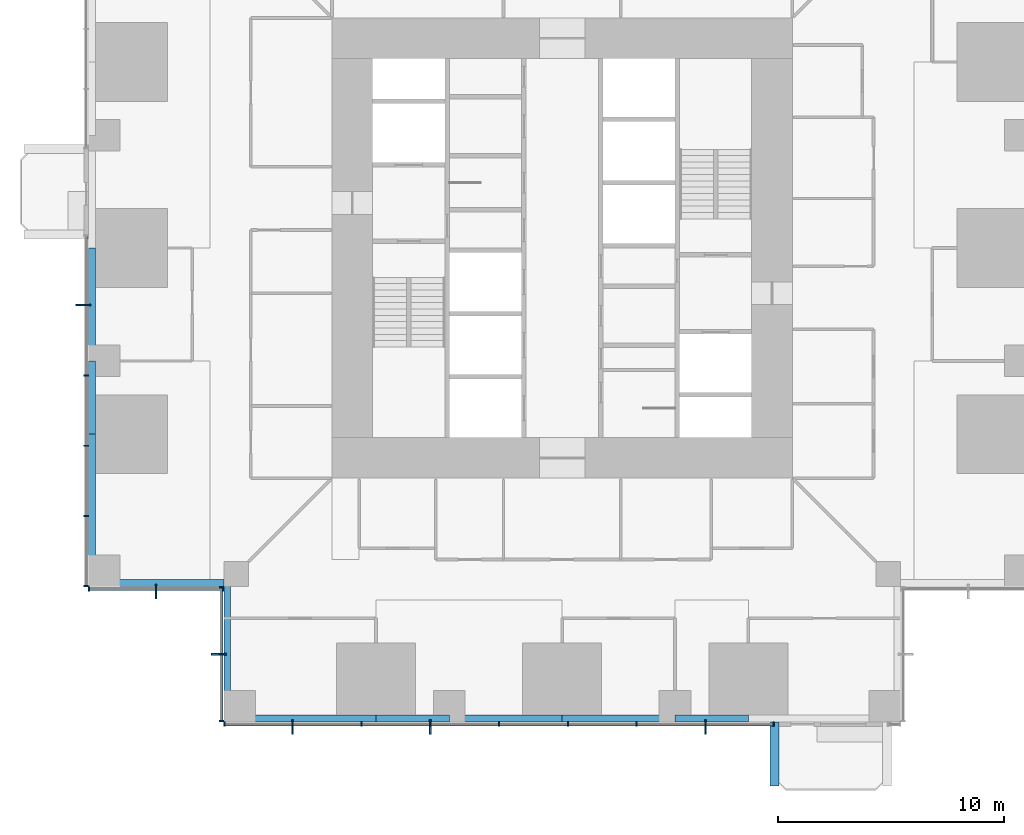
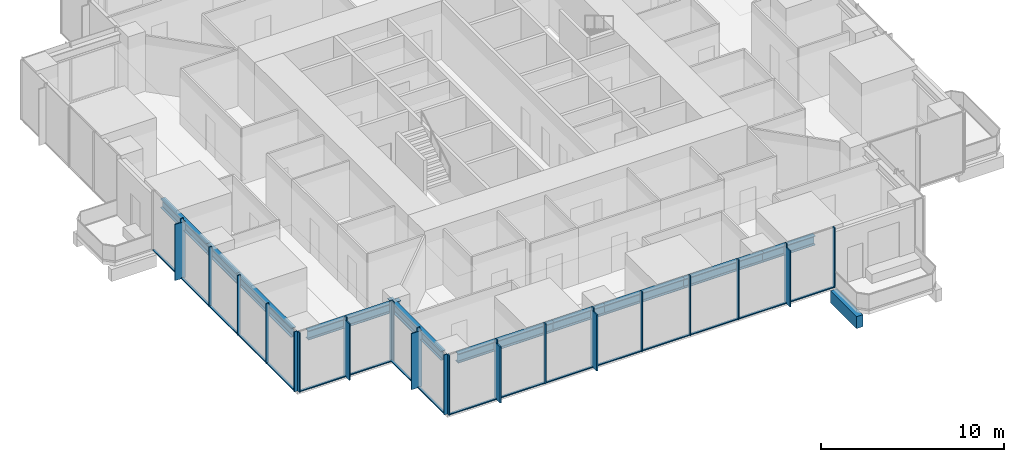
# One storey, part 2 of 16: 43 members, 11 beams, 4 elements without a shape of their own.
"""IFC4 building model written with IfcOpenShell, lengths in metres."""

from ifc_helpers import new_model, si_unit, direction, frame, origin, origin_2d, place, context, subcontext, project, spatial, rectangle, i_section, extrude, material, material_profile, profile_set, type_object, element, aggregate, save


model = new_model("IFC4")

# Units and contexts
model_context = context("Model", 3, precision=1e-05, world=origin(), true_north=direction((0.0, 1.0)))
body_context = subcontext(model_context, "Body", "Model", "MODEL_VIEW")
ifc_project = project(units=[si_unit("LENGTHUNIT", "METRE"), si_unit("AREAUNIT", "SQUARE_METRE"), si_unit("VOLUMEUNIT", "CUBIC_METRE"), si_unit("PLANEANGLEUNIT", "RADIAN"), si_unit("MASSUNIT", "GRAM", prefix="KILO")], contexts=[model_context])

# Site, building, storey
site_placement = place(None, origin())
site = spatial("IfcSite", under=ifc_project, at=site_placement, CompositionType="ELEMENT")
building_placement = place(site_placement, origin())
building = spatial("IfcBuilding", under=site, at=building_placement, Name="Svetlomir Tower", CompositionType="ELEMENT")
storey_placement = place(building_placement, frame((0.0, 0.0, 58.5)))
storey = spatial("IfcBuildingStorey", under=building, at=storey_placement, Name="L13", CompositionType="ELEMENT", Elevation=58.5)

# Beam
ifc_material_1 = material(Name="Concrete C60/75", Category="concrete")
ifc_material_profile_1 = material_profile(ifc_material_1, rectangle(XDim=0.39990234375, YDim=0.800048828125, at=origin_2d()), Name="RC 400x800")
ifc_profile_set_1 = profile_set([ifc_material_profile_1], Name="Concrete C60/75")
beam_type_1 = type_object("IfcBeamType", Name="BALCONY RIB RC 400x800", PredefinedType="BEAM", material=ifc_profile_set_1)
beam_1_placement = place(storey_placement, frame((30.39990234375, 0.0, -0.64990234375), z_axis=(0.0, -1.0, 0.0), x_axis=(1.0, 0.0, 0.0)))
element("IfcBeam", 1, at=beam_1_placement, inside=storey, type_object=beam_type_1, Name="Balcony rib S 1 L13", PredefinedType="BEAM", context=body_context, shape_type="SweptSolid", body=[
    extrude(rectangle(XDim=0.39990234375, YDim=0.800048828125, at=origin_2d()), origin(), (0.0, 0.0, 1.0), 2.85009765625),
])

# Curtain wall, members
ifc_material_2 = material(Name="Bronze anodised aluminium curtain wall", Category="aluminium")
curtain_wall_type = type_object("IfcCurtainWallType", Name="CURTAIN WALL CW1 TOWER OFFICE", PredefinedType="NOTDEFINED", material=ifc_material_2)
curtain_wall_1_placement = place(storey_placement, origin())
curtain_wall_1 = element("IfcCurtainWall", 2, at=curtain_wall_1_placement, inside=storey, type_object=curtain_wall_type, Name="Curtain wall CW1 L13", PredefinedType="NOTDEFINED")
ifc_material_3 = material(Name="Bronze anodised aluminium", Category="aluminium")
ifc_material_profile_2 = material_profile(ifc_material_3, rectangle(XDim=0.080078125, YDim=0.64990234375, at=origin_2d()), Name="FIN 80x650")
ifc_profile_set_2 = profile_set([ifc_material_profile_2], Name="Bronze anodised aluminium 6063-T6")
member_type_1 = type_object("IfcMemberType", Name="BRONZE FIN 80x650", PredefinedType="USERDEFINED", material=ifc_profile_set_2)
member_1_placement = place(storey_placement, frame((9.050048828125, -0.22509765625, 0.0), z_axis=(0.0, 0.0, 1.0), x_axis=(1.0, 0.0, 0.0)))
member_1 = element("IfcMember", 3, at=member_1_placement, type_object=member_type_1, Name="Bronze fin L13", ObjectType="FIN", PredefinedType="USERDEFINED", context=body_context, shape_type="SweptSolid", body=[
    extrude(rectangle(XDim=0.080078125, YDim=0.64990234375, at=origin_2d()), origin(), (0.0, 0.0, 1.0), 3.75),
])
member_2_placement = place(storey_placement, frame((15.14990234375, -0.22509765625, 0.0), z_axis=(0.0, 0.0, 1.0), x_axis=(1.0, 0.0, 0.0)))
member_2 = element("IfcMember", 4, at=member_2_placement, type_object=member_type_1, Name="Bronze fin L13", ObjectType="FIN", PredefinedType="USERDEFINED", context=body_context, shape_type="SweptSolid", body=[
    extrude(rectangle(XDim=0.080078125, YDim=0.64990234375, at=origin_2d()), origin(), (0.0, 0.0, 1.0), 3.75),
])
member_3_placement = place(storey_placement, frame((27.35009765625, -0.22509765625, 0.0), z_axis=(0.0, 0.0, 1.0), x_axis=(1.0, 0.0, 0.0)))
member_3 = element("IfcMember", 5, at=member_3_placement, type_object=member_type_1, Name="Bronze fin L13", ObjectType="FIN", PredefinedType="USERDEFINED", context=body_context, shape_type="SweptSolid", body=[
    extrude(rectangle(XDim=0.080078125, YDim=0.64990234375, at=origin_2d()), origin(), (0.0, 0.0, 1.0), 3.75),
])

# Curtain wall, member
curtain_wall_2_placement = place(storey_placement, origin())
curtain_wall_2 = element("IfcCurtainWall", 6, at=curtain_wall_2_placement, inside=storey, type_object=curtain_wall_type, Name="Curtain wall CW1 L13", PredefinedType="NOTDEFINED")
member_4_placement = place(storey_placement, frame((-0.22509765625, 18.47998046875, 0.0), z_axis=(0.0, 0.0, 1.0), x_axis=(0.0, 1.0, 0.0)))
member_4 = element("IfcMember", 7, at=member_4_placement, type_object=member_type_1, Name="Bronze fin L13", ObjectType="FIN", PredefinedType="USERDEFINED", context=body_context, shape_type="SweptSolid", body=[
    extrude(rectangle(XDim=0.080078125, YDim=0.64990234375, at=origin_2d()), origin(), (0.0, 0.0, 1.0), 3.75),
])

curtain_wall_3_placement = place(storey_placement, origin())
curtain_wall_3 = element("IfcCurtainWall", 8, at=curtain_wall_3_placement, inside=storey, type_object=curtain_wall_type, Name="Curtain wall CW1 L13", PredefinedType="NOTDEFINED")
member_5_placement = place(storey_placement, frame((3.0, 5.77490234375, 0.0), z_axis=(0.0, 0.0, 1.0), x_axis=(1.0, 0.0, 0.0)))
member_5 = element("IfcMember", 9, at=member_5_placement, type_object=member_type_1, Name="Bronze fin L13", ObjectType="FIN", PredefinedType="USERDEFINED", context=body_context, shape_type="SweptSolid", body=[
    extrude(rectangle(XDim=0.080078125, YDim=0.64990234375, at=origin_2d()), origin(), (0.0, 0.0, 1.0), 3.75),
])

curtain_wall_4_placement = place(storey_placement, origin())
curtain_wall_4 = element("IfcCurtainWall", 10, at=curtain_wall_4_placement, inside=storey, type_object=curtain_wall_type, Name="Curtain wall CW1 L13", PredefinedType="NOTDEFINED")
member_6_placement = place(storey_placement, frame((5.77490234375, 3.0, 0.0), z_axis=(0.0, 0.0, 1.0), x_axis=(0.0, 1.0, 0.0)))
member_6 = element("IfcMember", 11, at=member_6_placement, type_object=member_type_1, Name="Bronze fin L13", ObjectType="FIN", PredefinedType="USERDEFINED", context=body_context, shape_type="SweptSolid", body=[
    extrude(rectangle(XDim=0.080078125, YDim=0.64990234375, at=origin_2d()), origin(), (0.0, 0.0, 1.0), 3.75),
])

# Member
ifc_material_4 = material(Name="Bronze anodised aluminium", Category="aluminium")
ifc_material_profile_3 = material_profile(ifc_material_4, rectangle(XDim=0.06494140625, YDim=0.199951171875, at=origin_2d()), Name="AL 65x200")
ifc_profile_set_3 = profile_set([ifc_material_profile_3], Name="Bronze anodised aluminium 6063-T6")
member_type_2 = type_object("IfcMemberType", Name="CW1 MULLION 65x200", PredefinedType="MULLION", material=ifc_profile_set_3)
member_7_placement = place(storey_placement, frame((6.032470703125, -0.10009765625, 0.0), z_axis=(0.0, 0.0, 1.0), x_axis=(1.0, 0.0, 0.0)))
member_7 = element("IfcMember", 12, at=member_7_placement, type_object=member_type_2, Name="CW1 mullion 1", PredefinedType="MULLION", context=body_context, shape_type="SweptSolid", body=[
    extrude(rectangle(XDim=0.06494140625, YDim=0.199951171875, at=origin_2d()), origin(), (0.0, 0.0, 1.0), 4.0),
])

member_8_placement = place(storey_placement, frame((9.050048828125, -0.10009765625, 0.0), z_axis=(0.0, 0.0, 1.0), x_axis=(1.0, 0.0, 0.0)))
member_8 = element("IfcMember", 13, at=member_8_placement, type_object=member_type_2, Name="CW1 mullion 2", PredefinedType="MULLION", context=body_context, shape_type="SweptSolid", body=[
    extrude(rectangle(XDim=0.06494140625, YDim=0.199951171875, at=origin_2d()), origin(), (0.0, 0.0, 1.0), 4.0),
])

member_9_placement = place(storey_placement, frame((12.10009765625, -0.10009765625, 0.0), z_axis=(0.0, 0.0, 1.0), x_axis=(1.0, 0.0, 0.0)))
member_9 = element("IfcMember", 14, at=member_9_placement, type_object=member_type_2, Name="CW1 mullion 3", PredefinedType="MULLION", context=body_context, shape_type="SweptSolid", body=[
    extrude(rectangle(XDim=0.06494140625, YDim=0.199951171875, at=origin_2d()), origin(), (0.0, 0.0, 1.0), 4.0),
])

member_10_placement = place(storey_placement, frame((15.14990234375, -0.10009765625, 0.0), z_axis=(0.0, 0.0, 1.0), x_axis=(1.0, 0.0, 0.0)))
member_10 = element("IfcMember", 15, at=member_10_placement, type_object=member_type_2, Name="CW1 mullion 4", PredefinedType="MULLION", context=body_context, shape_type="SweptSolid", body=[
    extrude(rectangle(XDim=0.06494140625, YDim=0.199951171875, at=origin_2d()), origin(), (0.0, 0.0, 1.0), 4.0),
])

member_11_placement = place(storey_placement, frame((18.199951171875, -0.10009765625, 0.0), z_axis=(0.0, 0.0, 1.0), x_axis=(1.0, 0.0, 0.0)))
member_11 = element("IfcMember", 16, at=member_11_placement, type_object=member_type_2, Name="CW1 mullion 5", PredefinedType="MULLION", context=body_context, shape_type="SweptSolid", body=[
    extrude(rectangle(XDim=0.06494140625, YDim=0.199951171875, at=origin_2d()), origin(), (0.0, 0.0, 1.0), 4.0),
])

member_12_placement = place(storey_placement, frame((21.25, -0.10009765625, 0.0), z_axis=(0.0, 0.0, 1.0), x_axis=(1.0, 0.0, 0.0)))
member_12 = element("IfcMember", 17, at=member_12_placement, type_object=member_type_2, Name="CW1 mullion 6", PredefinedType="MULLION", context=body_context, shape_type="SweptSolid", body=[
    extrude(rectangle(XDim=0.06494140625, YDim=0.199951171875, at=origin_2d()), origin(), (0.0, 0.0, 1.0), 4.0),
])

member_13_placement = place(storey_placement, frame((24.300048828125, -0.10009765625, 0.0), z_axis=(0.0, 0.0, 1.0), x_axis=(1.0, 0.0, 0.0)))
member_13 = element("IfcMember", 18, at=member_13_placement, type_object=member_type_2, Name="CW1 mullion 7", PredefinedType="MULLION", context=body_context, shape_type="SweptSolid", body=[
    extrude(rectangle(XDim=0.06494140625, YDim=0.199951171875, at=origin_2d()), origin(), (0.0, 0.0, 1.0), 4.0),
])

member_14_placement = place(storey_placement, frame((27.35009765625, -0.10009765625, 0.0), z_axis=(0.0, 0.0, 1.0), x_axis=(1.0, 0.0, 0.0)))
member_14 = element("IfcMember", 19, at=member_14_placement, type_object=member_type_2, Name="CW1 mullion 8", PredefinedType="MULLION", context=body_context, shape_type="SweptSolid", body=[
    extrude(rectangle(XDim=0.06494140625, YDim=0.199951171875, at=origin_2d()), origin(), (0.0, 0.0, 1.0), 4.0),
])

member_15_placement = place(storey_placement, frame((30.367431640625, -0.10009765625, 0.0), z_axis=(0.0, 0.0, 1.0), x_axis=(1.0, 0.0, 0.0)))
member_15 = element("IfcMember", 20, at=member_15_placement, type_object=member_type_2, Name="CW1 mullion 9", PredefinedType="MULLION", context=body_context, shape_type="SweptSolid", body=[
    extrude(rectangle(XDim=0.06494140625, YDim=0.199951171875, at=origin_2d()), origin(), (0.0, 0.0, 1.0), 4.0),
])

member_16_placement = place(storey_placement, frame((-0.10009765625, 18.47998046875, 0.0), z_axis=(0.0, 0.0, 1.0), x_axis=(0.0, -1.0, 0.0)))
member_16 = element("IfcMember", 21, at=member_16_placement, type_object=member_type_2, Name="CW1 mullion 2", PredefinedType="MULLION", context=body_context, shape_type="SweptSolid", body=[
    extrude(rectangle(XDim=0.06494140625, YDim=0.199951171875, at=origin_2d()), origin(), (0.0, 0.0, 1.0), 4.0),
])

member_17_placement = place(storey_placement, frame((-0.10009765625, 15.360107421875, 0.0), z_axis=(0.0, 0.0, 1.0), x_axis=(0.0, -1.0, 0.0)))
member_17 = element("IfcMember", 22, at=member_17_placement, type_object=member_type_2, Name="CW1 mullion 3", PredefinedType="MULLION", context=body_context, shape_type="SweptSolid", body=[
    extrude(rectangle(XDim=0.06494140625, YDim=0.199951171875, at=origin_2d()), origin(), (0.0, 0.0, 1.0), 4.0),
])

member_18_placement = place(storey_placement, frame((-0.10009765625, 12.239990234375, 0.0), z_axis=(0.0, 0.0, 1.0), x_axis=(0.0, -1.0, 0.0)))
member_18 = element("IfcMember", 23, at=member_18_placement, type_object=member_type_2, Name="CW1 mullion 4", PredefinedType="MULLION", context=body_context, shape_type="SweptSolid", body=[
    extrude(rectangle(XDim=0.06494140625, YDim=0.199951171875, at=origin_2d()), origin(), (0.0, 0.0, 1.0), 4.0),
])

member_19_placement = place(storey_placement, frame((-0.10009765625, 9.1201171875, 0.0), z_axis=(0.0, 0.0, 1.0), x_axis=(0.0, -1.0, 0.0)))
member_19 = element("IfcMember", 24, at=member_19_placement, type_object=member_type_2, Name="CW1 mullion 5", PredefinedType="MULLION", context=body_context, shape_type="SweptSolid", body=[
    extrude(rectangle(XDim=0.06494140625, YDim=0.199951171875, at=origin_2d()), origin(), (0.0, 0.0, 1.0), 4.0),
])

member_20_placement = place(storey_placement, frame((-0.10009765625, 6.032470703125, 0.0), z_axis=(0.0, 0.0, 1.0), x_axis=(0.0, -1.0, 0.0)))
member_20 = element("IfcMember", 25, at=member_20_placement, type_object=member_type_2, Name="CW1 mullion 6", PredefinedType="MULLION", context=body_context, shape_type="SweptSolid", body=[
    extrude(rectangle(XDim=0.06494140625, YDim=0.199951171875, at=origin_2d()), origin(), (0.0, 0.0, 1.0), 4.0),
])

member_21_placement = place(storey_placement, frame((0.032470703125, 5.89990234375, 0.0), z_axis=(0.0, 0.0, 1.0), x_axis=(1.0, 0.0, 0.0)))
member_21 = element("IfcMember", 26, at=member_21_placement, type_object=member_type_2, Name="CW1 mullion 1", PredefinedType="MULLION", context=body_context, shape_type="SweptSolid", body=[
    extrude(rectangle(XDim=0.06494140625, YDim=0.199951171875, at=origin_2d()), origin(), (0.0, 0.0, 1.0), 4.0),
])

member_22_placement = place(storey_placement, frame((3.0, 5.89990234375, 0.0), z_axis=(0.0, 0.0, 1.0), x_axis=(1.0, 0.0, 0.0)))
member_22 = element("IfcMember", 27, at=member_22_placement, type_object=member_type_2, Name="CW1 mullion 2", PredefinedType="MULLION", context=body_context, shape_type="SweptSolid", body=[
    extrude(rectangle(XDim=0.06494140625, YDim=0.199951171875, at=origin_2d()), origin(), (0.0, 0.0, 1.0), 4.0),
])

member_23_placement = place(storey_placement, frame((5.967529296875, 5.89990234375, 0.0), z_axis=(0.0, 0.0, 1.0), x_axis=(1.0, 0.0, 0.0)))
member_23 = element("IfcMember", 28, at=member_23_placement, type_object=member_type_2, Name="CW1 mullion 3", PredefinedType="MULLION", context=body_context, shape_type="SweptSolid", body=[
    extrude(rectangle(XDim=0.06494140625, YDim=0.199951171875, at=origin_2d()), origin(), (0.0, 0.0, 1.0), 4.0),
])

member_24_placement = place(storey_placement, frame((5.89990234375, 5.967529296875, 0.0), z_axis=(0.0, 0.0, 1.0), x_axis=(0.0, -1.0, 0.0)))
member_24 = element("IfcMember", 29, at=member_24_placement, type_object=member_type_2, Name="CW1 mullion 1", PredefinedType="MULLION", context=body_context, shape_type="SweptSolid", body=[
    extrude(rectangle(XDim=0.06494140625, YDim=0.199951171875, at=origin_2d()), origin(), (0.0, 0.0, 1.0), 4.0),
])

member_25_placement = place(storey_placement, frame((5.89990234375, 3.0, 0.0), z_axis=(0.0, 0.0, 1.0), x_axis=(0.0, -1.0, 0.0)))
member_25 = element("IfcMember", 30, at=member_25_placement, type_object=member_type_2, Name="CW1 mullion 2", PredefinedType="MULLION", context=body_context, shape_type="SweptSolid", body=[
    extrude(rectangle(XDim=0.06494140625, YDim=0.199951171875, at=origin_2d()), origin(), (0.0, 0.0, 1.0), 4.0),
])

member_26_placement = place(storey_placement, frame((5.89990234375, 0.032470703125, 0.0), z_axis=(0.0, 0.0, 1.0), x_axis=(0.0, -1.0, 0.0)))
member_26 = element("IfcMember", 31, at=member_26_placement, type_object=member_type_2, Name="CW1 mullion 3", PredefinedType="MULLION", context=body_context, shape_type="SweptSolid", body=[
    extrude(rectangle(XDim=0.06494140625, YDim=0.199951171875, at=origin_2d()), origin(), (0.0, 0.0, 1.0), 4.0),
])

ifc_material_5 = material(Name="Bronze anodised aluminium", Category="aluminium")
ifc_material_profile_4 = material_profile(ifc_material_5, rectangle(XDim=0.139892578125, YDim=0.06494140625, at=origin_2d()), Name="AL 140x65")
ifc_profile_set_4 = profile_set([ifc_material_profile_4], Name="Bronze anodised aluminium 6063-T6")
member_type_3 = type_object("IfcMemberType", Name="CW1 TRANSOM 65x140", PredefinedType="USERDEFINED", material=ifc_profile_set_4)
member_27_placement = place(storey_placement, frame((6.06494140625, -0.10009765625, 0.032470703125), z_axis=(1.0, 0.0, 0.0), x_axis=(0.0, 1.0, 0.0)))
member_27 = element("IfcMember", 32, at=member_27_placement, type_object=member_type_3, Name="CW1 transom 1.1", ObjectType="TRANSOM", PredefinedType="USERDEFINED", context=body_context, shape_type="SweptSolid", body=[
    extrude(rectangle(XDim=0.139892578125, YDim=0.06494140625, at=origin_2d()), origin(), (0.0, 0.0, 1.0), 2.95263671875),
])

member_28_placement = place(storey_placement, frame((9.08251953125, -0.10009765625, 0.032470703125), z_axis=(1.0, 0.0, 0.0), x_axis=(0.0, 1.0, 0.0)))
member_28 = element("IfcMember", 33, at=member_28_placement, type_object=member_type_3, Name="CW1 transom 2.1", ObjectType="TRANSOM", PredefinedType="USERDEFINED", context=body_context, shape_type="SweptSolid", body=[
    extrude(rectangle(XDim=0.139892578125, YDim=0.06494140625, at=origin_2d()), origin(), (0.0, 0.0, 1.0), 2.98486328125),
])

member_29_placement = place(storey_placement, frame((12.132568359375, -0.10009765625, 0.032470703125), z_axis=(1.0, 0.0, 0.0), x_axis=(0.0, 1.0, 0.0)))
member_29 = element("IfcMember", 34, at=member_29_placement, type_object=member_type_3, Name="CW1 transom 3.1", ObjectType="TRANSOM", PredefinedType="USERDEFINED", context=body_context, shape_type="SweptSolid", body=[
    extrude(rectangle(XDim=0.139892578125, YDim=0.06494140625, at=origin_2d()), origin(), (0.0, 0.0, 1.0), 2.98486328125),
])

member_30_placement = place(storey_placement, frame((15.1826171875, -0.10009765625, 0.032470703125), z_axis=(1.0, 0.0, 0.0), x_axis=(0.0, 1.0, 0.0)))
member_30 = element("IfcMember", 35, at=member_30_placement, type_object=member_type_3, Name="CW1 transom 4.1", ObjectType="TRANSOM", PredefinedType="USERDEFINED", context=body_context, shape_type="SweptSolid", body=[
    extrude(rectangle(XDim=0.139892578125, YDim=0.06494140625, at=origin_2d()), origin(), (0.0, 0.0, 1.0), 2.98486328125),
])

member_31_placement = place(storey_placement, frame((18.232421875, -0.10009765625, 0.032470703125), z_axis=(1.0, 0.0, 0.0), x_axis=(0.0, 1.0, 0.0)))
member_31 = element("IfcMember", 36, at=member_31_placement, type_object=member_type_3, Name="CW1 transom 5.1", ObjectType="TRANSOM", PredefinedType="USERDEFINED", context=body_context, shape_type="SweptSolid", body=[
    extrude(rectangle(XDim=0.139892578125, YDim=0.06494140625, at=origin_2d()), origin(), (0.0, 0.0, 1.0), 2.985107421875),
])

member_32_placement = place(storey_placement, frame((21.282470703125, -0.10009765625, 0.032470703125), z_axis=(1.0, 0.0, 0.0), x_axis=(0.0, 1.0, 0.0)))
member_32 = element("IfcMember", 37, at=member_32_placement, type_object=member_type_3, Name="CW1 transom 6.1", ObjectType="TRANSOM", PredefinedType="USERDEFINED", context=body_context, shape_type="SweptSolid", body=[
    extrude(rectangle(XDim=0.139892578125, YDim=0.06494140625, at=origin_2d()), origin(), (0.0, 0.0, 1.0), 2.985107421875),
])

member_33_placement = place(storey_placement, frame((24.33251953125, -0.10009765625, 0.032470703125), z_axis=(1.0, 0.0, 0.0), x_axis=(0.0, 1.0, 0.0)))
member_33 = element("IfcMember", 38, at=member_33_placement, type_object=member_type_3, Name="CW1 transom 7.1", ObjectType="TRANSOM", PredefinedType="USERDEFINED", context=body_context, shape_type="SweptSolid", body=[
    extrude(rectangle(XDim=0.139892578125, YDim=0.06494140625, at=origin_2d()), origin(), (0.0, 0.0, 1.0), 2.98486328125),
])

member_34_placement = place(storey_placement, frame((27.382568359375, -0.10009765625, 0.032470703125), z_axis=(1.0, 0.0, 0.0), x_axis=(0.0, 1.0, 0.0)))
member_34 = element("IfcMember", 39, at=member_34_placement, type_object=member_type_3, Name="CW1 transom 8.1", ObjectType="TRANSOM", PredefinedType="USERDEFINED", context=body_context, shape_type="SweptSolid", body=[
    extrude(rectangle(XDim=0.139892578125, YDim=0.06494140625, at=origin_2d()), origin(), (0.0, 0.0, 1.0), 2.952392578125),
])

aggregate(curtain_wall_1, [member_7, member_8, member_9, member_10, member_11, member_12, member_13, member_14, member_15, member_27, member_28, member_29, member_30, member_31, member_32, member_33, member_34, member_1, member_2, member_3])

member_35_placement = place(storey_placement, frame((-0.10009765625, 21.534912109375, 0.032470703125), z_axis=(0.0, -1.0, 0.0), x_axis=(1.0, 0.0, 0.0)))
member_35 = element("IfcMember", 40, at=member_35_placement, type_object=member_type_3, Name="CW1 transom 1.1", ObjectType="TRANSOM", PredefinedType="USERDEFINED", context=body_context, shape_type="SweptSolid", body=[
    extrude(rectangle(XDim=0.139892578125, YDim=0.06494140625, at=origin_2d()), origin(), (0.0, 0.0, 1.0), 3.0224609375),
])

member_36_placement = place(storey_placement, frame((-0.10009765625, 18.447509765625, 0.032470703125), z_axis=(0.0, -1.0, 0.0), x_axis=(1.0, 0.0, 0.0)))
member_36 = element("IfcMember", 41, at=member_36_placement, type_object=member_type_3, Name="CW1 transom 2.1", ObjectType="TRANSOM", PredefinedType="USERDEFINED", context=body_context, shape_type="SweptSolid", body=[
    extrude(rectangle(XDim=0.139892578125, YDim=0.06494140625, at=origin_2d()), origin(), (0.0, 0.0, 1.0), 3.054931640625),
])

member_37_placement = place(storey_placement, frame((-0.10009765625, 15.327392578125, 0.032470703125), z_axis=(0.0, -1.0, 0.0), x_axis=(1.0, 0.0, 0.0)))
member_37 = element("IfcMember", 42, at=member_37_placement, type_object=member_type_3, Name="CW1 transom 3.1", ObjectType="TRANSOM", PredefinedType="USERDEFINED", context=body_context, shape_type="SweptSolid", body=[
    extrude(rectangle(XDim=0.139892578125, YDim=0.06494140625, at=origin_2d()), origin(), (0.0, 0.0, 1.0), 3.054931640625),
])

member_38_placement = place(storey_placement, frame((-0.10009765625, 12.20751953125, 0.032470703125), z_axis=(0.0, -1.0, 0.0), x_axis=(1.0, 0.0, 0.0)))
member_38 = element("IfcMember", 43, at=member_38_placement, type_object=member_type_3, Name="CW1 transom 4.1", ObjectType="TRANSOM", PredefinedType="USERDEFINED", context=body_context, shape_type="SweptSolid", body=[
    extrude(rectangle(XDim=0.139892578125, YDim=0.06494140625, at=origin_2d()), origin(), (0.0, 0.0, 1.0), 3.054931640625),
])

member_39_placement = place(storey_placement, frame((-0.10009765625, 9.08740234375, 0.032470703125), z_axis=(0.0, -1.0, 0.0), x_axis=(1.0, 0.0, 0.0)))
member_39 = element("IfcMember", 44, at=member_39_placement, type_object=member_type_3, Name="CW1 transom 5.1", ObjectType="TRANSOM", PredefinedType="USERDEFINED", context=body_context, shape_type="SweptSolid", body=[
    extrude(rectangle(XDim=0.139892578125, YDim=0.06494140625, at=origin_2d()), origin(), (0.0, 0.0, 1.0), 3.0224609375),
])

aggregate(curtain_wall_2, [member_16, member_17, member_18, member_19, member_20, member_35, member_36, member_37, member_38, member_39, member_4])

member_40_placement = place(storey_placement, frame((0.06494140625, 5.89990234375, 0.032470703125), z_axis=(1.0, 0.0, 0.0), x_axis=(0.0, 1.0, 0.0)))
member_40 = element("IfcMember", 45, at=member_40_placement, type_object=member_type_3, Name="CW1 transom 1.1", ObjectType="TRANSOM", PredefinedType="USERDEFINED", context=body_context, shape_type="SweptSolid", body=[
    extrude(rectangle(XDim=0.139892578125, YDim=0.06494140625, at=origin_2d()), origin(), (0.0, 0.0, 1.0), 2.902587890625),
])

member_41_placement = place(storey_placement, frame((3.032470703125, 5.89990234375, 0.032470703125), z_axis=(1.0, 0.0, 0.0), x_axis=(0.0, 1.0, 0.0)))
member_41 = element("IfcMember", 46, at=member_41_placement, type_object=member_type_3, Name="CW1 transom 2.1", ObjectType="TRANSOM", PredefinedType="USERDEFINED", context=body_context, shape_type="SweptSolid", body=[
    extrude(rectangle(XDim=0.139892578125, YDim=0.06494140625, at=origin_2d()), origin(), (0.0, 0.0, 1.0), 2.902587890625),
])

aggregate(curtain_wall_3, [member_21, member_22, member_23, member_40, member_41, member_5])

member_42_placement = place(storey_placement, frame((5.89990234375, 5.93505859375, 0.032470703125), z_axis=(0.0, -1.0, 0.0), x_axis=(1.0, 0.0, 0.0)))
member_42 = element("IfcMember", 47, at=member_42_placement, type_object=member_type_3, Name="CW1 transom 1.1", ObjectType="TRANSOM", PredefinedType="USERDEFINED", context=body_context, shape_type="SweptSolid", body=[
    extrude(rectangle(XDim=0.139892578125, YDim=0.06494140625, at=origin_2d()), origin(), (0.0, 0.0, 1.0), 2.902587890625),
])

member_43_placement = place(storey_placement, frame((5.89990234375, 2.967529296875, 0.032470703125), z_axis=(0.0, -1.0, 0.0), x_axis=(1.0, 0.0, 0.0)))
member_43 = element("IfcMember", 48, at=member_43_placement, type_object=member_type_3, Name="CW1 transom 2.1", ObjectType="TRANSOM", PredefinedType="USERDEFINED", context=body_context, shape_type="SweptSolid", body=[
    extrude(rectangle(XDim=0.139892578125, YDim=0.06494140625, at=origin_2d()), origin(), (0.0, 0.0, 1.0), 2.902587890625),
])

aggregate(curtain_wall_4, [member_24, member_25, member_26, member_42, member_43, member_6])

# Beams
ifc_material_6 = material(Name="Steel S355", Category="steel")
ifc_material_profile_5 = material_profile(ifc_material_6, i_section(OverallWidth=0.304931640625, OverallDepth=0.6201171875, WebThickness=0.02099609375, FlangeThickness=0.0400390625, FilletRadius=0.027099609375, at=origin_2d()), Name="HEM 600")
ifc_profile_set_5 = profile_set([ifc_material_profile_5], Name="Steel S355")
beam_type_2 = type_object("IfcBeamType", Name="EDGE BEAM HEM 600", PredefinedType="SPANDREL", material=ifc_profile_set_5)
for number, where, z_axis, x_axis, name in (
    (49, (6.699951171875, 0.152587890625, 3.43994140625), (1.0, 0.0, 0.0), (0.0, 1.0, 0.0), "Edge beam 6/0 to 11/0 under L14"),
    (50, (0.152587890625, 6.699951171875, 3.43994140625), (0.0, 1.0, 0.0), (-1.0, 0.0, 0.0), "Edge beam 0/6 to 0/11 under L14"),
):
    element("IfcBeam", number, at=place(storey_placement, frame(where, z_axis=z_axis, x_axis=x_axis)), inside=storey, type_object=beam_type_2, Name=name, PredefinedType="SPANDREL", context=body_context, shape_type="SweptSolid", body=[
        extrude(i_section(OverallWidth=0.304931640625, OverallDepth=0.6201171875, WebThickness=0.02099609375, FlangeThickness=0.0400390625, FilletRadius=0.027099609375, at=origin_2d()), origin(), (0.0, 0.0, 1.0), 6.050048828125),
    ])
for number, where, z_axis, x_axis, name in (
    (51, (12.75, 0.152587890625, 3.43994140625), (1.0, 0.0, 0.0), (0.0, 1.0, 0.0), "Edge beam 11/0 to 16/0 under L14"),
    (52, (0.152587890625, 12.75, 3.43994140625), (0.0, 1.0, 0.0), (-1.0, 0.0, 0.0), "Edge beam 0/11 to 0/16 under L14"),
):
    element("IfcBeam", number, at=place(storey_placement, frame(where, z_axis=z_axis, x_axis=x_axis)), inside=storey, type_object=beam_type_2, Name=name, PredefinedType="SPANDREL", context=body_context, shape_type="SweptSolid", body=[
        extrude(i_section(OverallWidth=0.304931640625, OverallDepth=0.6201171875, WebThickness=0.02099609375, FlangeThickness=0.0400390625, FilletRadius=0.027099609375, at=origin_2d()), origin(), (0.0, 0.0, 1.0), 3.25),
    ])
for number, where, z_axis, x_axis, name in (
    (53, (16.0, 0.152587890625, 3.43994140625), (1.0, 0.0, 0.0), (0.0, 1.0, 0.0), "Edge beam 16/0 to 21/0 under L14"),
    (54, (0.152587890625, 16.0, 3.43994140625), (0.0, 1.0, 0.0), (-1.0, 0.0, 0.0), "Edge beam 0/16 to 0/21 under L14"),
    (55, (21.0, 0.152587890625, 3.43994140625), (1.0, 0.0, 0.0), (0.0, 1.0, 0.0), "Edge beam 21/0 to 26/0 under L14"),
):
    element("IfcBeam", number, at=place(storey_placement, frame(where, z_axis=z_axis, x_axis=x_axis)), inside=storey, type_object=beam_type_2, Name=name, PredefinedType="SPANDREL", context=body_context, shape_type="SweptSolid", body=[
        extrude(i_section(OverallWidth=0.304931640625, OverallDepth=0.6201171875, WebThickness=0.02099609375, FlangeThickness=0.0400390625, FilletRadius=0.027099609375, at=origin_2d()), origin(), (0.0, 0.0, 1.0), 5.0),
    ])
beam_2_placement = place(storey_placement, frame((26.0, 0.152587890625, 3.43994140625), z_axis=(1.0, 0.0, 0.0), x_axis=(0.0, 1.0, 0.0)))
element("IfcBeam", 56, at=beam_2_placement, inside=storey, type_object=beam_type_2, Name="Edge beam 26/0 to 31/0 under L14", PredefinedType="SPANDREL", context=body_context, shape_type="SweptSolid", body=[
    extrude(i_section(OverallWidth=0.304931640625, OverallDepth=0.6201171875, WebThickness=0.02099609375, FlangeThickness=0.0400390625, FilletRadius=0.027099609375, at=origin_2d()), origin(), (0.0, 0.0, 1.0), 3.25),
])
for number, where, z_axis, x_axis, name in (
    (57, (6.152587890625, 0.699951171875, 3.43994140625), (0.0, 1.0, 0.0), (-1.0, 0.0, 0.0), "Edge beam 6/0 to 6/6 under L14"),
    (58, (0.699951171875, 6.152587890625, 3.43994140625), (1.0, 0.0, 0.0), (0.0, 1.0, 0.0), "Edge beam 0/6 to 6/6 under L14"),
):
    element("IfcBeam", number, at=place(storey_placement, frame(where, z_axis=z_axis, x_axis=x_axis)), inside=storey, type_object=beam_type_2, Name=name, PredefinedType="SPANDREL", context=body_context, shape_type="SweptSolid", body=[
        extrude(i_section(OverallWidth=0.304931640625, OverallDepth=0.6201171875, WebThickness=0.02099609375, FlangeThickness=0.0400390625, FilletRadius=0.027099609375, at=origin_2d()), origin(), (0.0, 0.0, 1.0), 5.85009765625),
    ])

save(model, "model.ifc")
